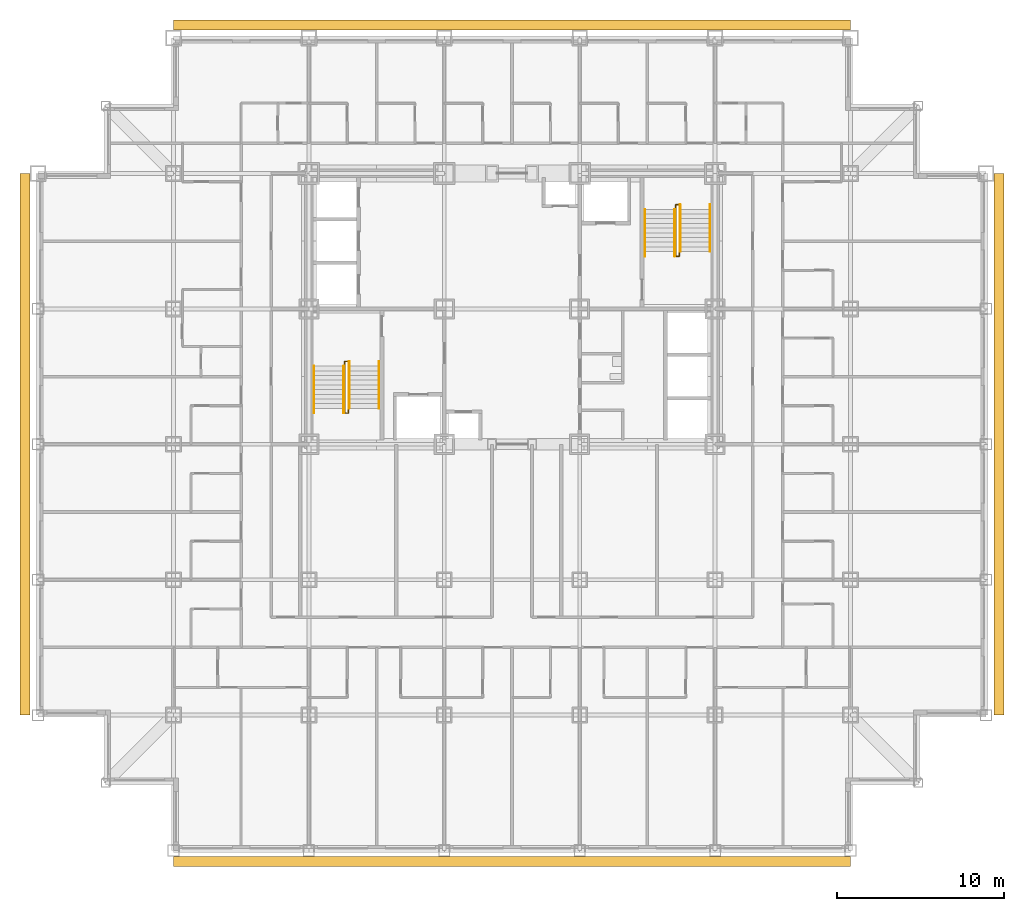
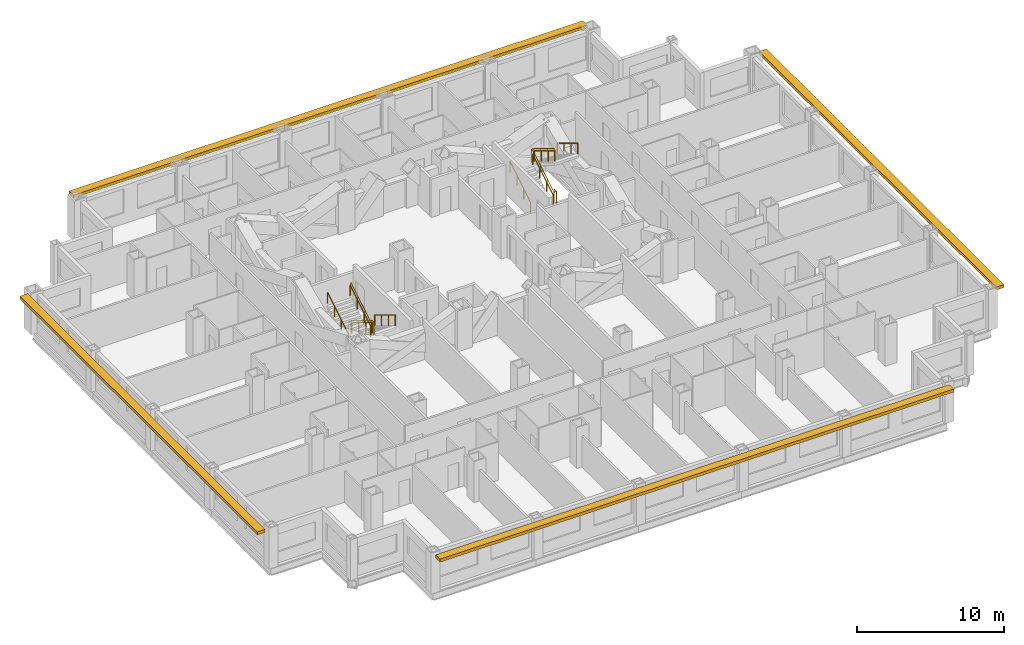
# One storey, part 11 of 12: 10 railings, 4 shading devices.
"""IFC4 building model written with IfcOpenShell, lengths in metres."""

from ifc_helpers import new_model, si_unit, direction, frame, origin, origin_2d, place, context, subcontext, project, spatial, rectangle, circle, extrude, material, type_object, element, save


model = new_model("IFC4")

# Units and contexts
model_context = context("Model", 3, precision=1e-05, world=origin(), true_north=direction((0.0, 1.0)))
body_context = subcontext(model_context, "Body", "Model", "MODEL_VIEW")
ifc_project = project(units=[si_unit("LENGTHUNIT", "METRE"), si_unit("AREAUNIT", "SQUARE_METRE"), si_unit("VOLUMEUNIT", "CUBIC_METRE"), si_unit("PLANEANGLEUNIT", "RADIAN"), si_unit("MASSUNIT", "GRAM", prefix="KILO")], contexts=[model_context])

# Site, building, storey
site_placement = place(None, origin())
site = spatial("IfcSite", under=ifc_project, at=site_placement, CompositionType="ELEMENT")
building_placement = place(site_placement, origin())
building = spatial("IfcBuilding", under=site, at=building_placement, Name="Kopane Lantern Tower", CompositionType="ELEMENT")
storey_placement = place(building_placement, frame((0.0, 0.0, 53.39990234375)))
storey = spatial("IfcBuildingStorey", under=building, at=storey_placement, Name="L12", CompositionType="ELEMENT", Elevation=53.39990234375)

# Railings
ifc_material_1 = material(Name="Steel", Category="steel")
railing_type_1 = type_object("IfcRailingType", Name="STAIR GUARD 1100", PredefinedType="GUARDRAIL", material=ifc_material_1)
railing_1_placement = place(storey_placement, frame((18.35009765625, 28.969970703125, 0.0)))
element("IfcRailing", 1, at=railing_1_placement, inside=storey, type_object=railing_type_1, Name="ST1 well guard L12", PredefinedType="GUARDRAIL", context=body_context, shape_type="SweptSolid", body=[
    extrude(circle(Radius=0.02392578125, at=origin_2d()), frame((0.0, 0.0, 1.076171875), z_axis=(0.0, 1.0, 0.0), x_axis=(-1.0, 0.0, 0.0)), (0.0, 0.0, 1.0), 0.280029296875),
    extrude(circle(Radius=0.02392578125, at=origin_2d()), frame((0.0, 0.280029296875, 1.076171875), z_axis=(1.0, 0.0, 0.0), x_axis=(0.0, 1.0, 0.0)), (0.0, 0.0, 1.0), 0.199951171875),
    extrude(circle(Radius=0.02392578125, at=origin_2d()), frame((0.199951171875, 0.280029296875, 1.076171875), z_axis=(0.0, -0.854765079529, 0.519015085347), x_axis=(1.0, 0.0, 0.0)), (0.0, 0.0, 1.0), 3.27587890625),
    extrude(circle(Radius=0.02392578125, at=origin_2d()), frame((0.199951171875, -2.52001953125, 2.7763671875), z_axis=(0.0, -1.0, 0.0), x_axis=(1.0, 0.0, 0.0)), (0.0, 0.0, 1.0), 0.280029296875),
    extrude(circle(Radius=0.02392578125, at=origin_2d()), frame((0.199951171875, -2.800048828125, 2.7763671875), z_axis=(-1.0, 0.0, 0.0), x_axis=(0.0, -1.0, 0.0)), (0.0, 0.0, 1.0), 0.199951171875),
    extrude(circle(Radius=0.02392578125, at=origin_2d()), frame((0.0, -2.800048828125, 2.7763671875), z_axis=(0.0, 0.854798142509, 0.518960630071), x_axis=(-1.0, 0.0, 0.0)), (0.0, 0.0, 1.0), 3.275634765625),
    extrude(circle(Radius=0.02099609375, at=origin_2d()), origin(), (0.0, 0.0, 1.0), 1.052001953125),
    extrude(circle(Radius=0.02099609375, at=origin_2d()), frame((0.0, 0.280029296875, 0.0)), (0.0, 0.0, 1.0), 1.052001953125),
    extrude(circle(Radius=0.02099609375, at=origin_2d()), frame((0.199951171875, 0.280029296875, 0.0)), (0.0, 0.0, 1.0), 1.052001953125),
    extrude(circle(Radius=0.02099609375, at=origin_2d()), frame((0.199951171875, -0.6533203125, 0.566650390625)), (0.0, 0.0, 1.0), 1.052001953125),
    extrude(circle(Radius=0.02099609375, at=origin_2d()), frame((0.199951171875, -1.586669921875, 1.133544921875)), (0.0, 0.0, 1.0), 1.052001953125),
    extrude(circle(Radius=0.02099609375, at=origin_2d()), frame((0.199951171875, -2.52001953125, 1.7001953125)), (0.0, 0.0, 1.0), 1.052001953125),
    extrude(circle(Radius=0.02099609375, at=origin_2d()), frame((0.199951171875, -2.800048828125, 1.7001953125)), (0.0, 0.0, 1.0), 1.052001953125),
    extrude(circle(Radius=0.02099609375, at=origin_2d()), frame((0.0, -2.800048828125, 1.7001953125)), (0.0, 0.0, 1.0), 1.052001953125),
    extrude(circle(Radius=0.02099609375, at=origin_2d()), frame((0.0, -1.86669921875, 2.266845703125)), (0.0, 0.0, 1.0), 1.052001953125),
    extrude(circle(Radius=0.02099609375, at=origin_2d()), frame((0.0, -0.933349609375, 2.83349609375)), (0.0, 0.0, 1.0), 1.052001953125),
    extrude(circle(Radius=0.02099609375, at=origin_2d()), frame((0.0, 0.0, 3.400146484375)), (0.0, 0.0, 1.0), 1.052001953125),
])
railing_2_placement = place(storey_placement, frame((38.35009765625, 35.830078125, 0.0)))
element("IfcRailing", 2, at=railing_2_placement, inside=storey, type_object=railing_type_1, Name="ST2 well guard L12", PredefinedType="GUARDRAIL", context=body_context, shape_type="SweptSolid", body=[
    extrude(circle(Radius=0.02392578125, at=origin_2d()), frame((0.0, 0.0, 1.076171875), z_axis=(0.0, -1.0, 0.0), x_axis=(1.0, 0.0, 0.0)), (0.0, 0.0, 1.0), 0.280029296875),
    extrude(circle(Radius=0.02392578125, at=origin_2d()), frame((0.0, -0.280029296875, 1.076171875), z_axis=(-1.0, 0.0, 0.0), x_axis=(0.0, -1.0, 0.0)), (0.0, 0.0, 1.0), 0.2001953125),
    extrude(circle(Radius=0.02392578125, at=origin_2d()), frame((-0.2001953125, -0.280029296875, 1.076171875), z_axis=(0.0, 0.854765079529, 0.519015085347), x_axis=(-1.0, 0.0, 0.0)), (0.0, 0.0, 1.0), 3.27587890625),
    extrude(circle(Radius=0.02392578125, at=origin_2d()), frame((-0.2001953125, 2.52001953125, 2.7763671875), z_axis=(0.0, 1.0, 0.0), x_axis=(-1.0, 0.0, 0.0)), (0.0, 0.0, 1.0), 0.27978515625),
    extrude(circle(Radius=0.02392578125, at=origin_2d()), frame((-0.2001953125, 2.7998046875, 2.7763671875), z_axis=(1.0, 0.0, 0.0), x_axis=(0.0, 1.0, 0.0)), (0.0, 0.0, 1.0), 0.2001953125),
    extrude(circle(Radius=0.02392578125, at=origin_2d()), frame((0.0, 2.7998046875, 2.7763671875), z_axis=(0.0, -0.854778067842, 0.518993694313), x_axis=(1.0, 0.0, 0.0)), (0.0, 0.0, 1.0), 3.275390625),
    extrude(circle(Radius=0.02099609375, at=origin_2d()), origin(), (0.0, 0.0, 1.0), 1.052001953125),
    extrude(circle(Radius=0.02099609375, at=origin_2d()), frame((0.0, -0.280029296875, 0.0)), (0.0, 0.0, 1.0), 1.052001953125),
    extrude(circle(Radius=0.02099609375, at=origin_2d()), frame((-0.2001953125, -0.280029296875, 0.0)), (0.0, 0.0, 1.0), 1.052001953125),
    extrude(circle(Radius=0.02099609375, at=origin_2d()), frame((-0.2001953125, 0.6533203125, 0.566650390625)), (0.0, 0.0, 1.0), 1.052001953125),
    extrude(circle(Radius=0.02099609375, at=origin_2d()), frame((-0.2001953125, 1.586669921875, 1.133544921875)), (0.0, 0.0, 1.0), 1.052001953125),
    extrude(circle(Radius=0.02099609375, at=origin_2d()), frame((-0.2001953125, 2.52001953125, 1.7001953125)), (0.0, 0.0, 1.0), 1.052001953125),
    extrude(circle(Radius=0.02099609375, at=origin_2d()), frame((-0.2001953125, 2.7998046875, 1.7001953125)), (0.0, 0.0, 1.0), 1.052001953125),
    extrude(circle(Radius=0.02099609375, at=origin_2d()), frame((0.0, 2.7998046875, 1.7001953125)), (0.0, 0.0, 1.0), 1.052001953125),
    extrude(circle(Radius=0.02099609375, at=origin_2d()), frame((0.0, 1.866455078125, 2.266845703125)), (0.0, 0.0, 1.0), 1.052001953125),
    extrude(circle(Radius=0.02099609375, at=origin_2d()), frame((0.0, 0.933349609375, 2.83349609375)), (0.0, 0.0, 1.0), 1.052001953125),
    extrude(circle(Radius=0.02099609375, at=origin_2d()), frame((0.0, 0.0, 3.400146484375)), (0.0, 0.0, 1.0), 1.052001953125),
])
ifc_material_2 = material(Name="Steel", Category="steel")
railing_type_2 = type_object("IfcRailingType", Name="STAIR HANDRAIL 900", PredefinedType="HANDRAIL", material=ifc_material_2)
for number, where, name in (
    (3, (20.389892578125, 29.25, 0.0), "ST1 handrail L12 flight 1"),
    (4, (18.610107421875, 29.25, 0.0), "ST1 handrail L12 flight 1"),
):
    element("IfcRailing", number, at=place(storey_placement, frame(where)), inside=storey, type_object=railing_type_2, Name=name, PredefinedType="HANDRAIL", context=body_context, shape_type="SweptSolid", body=[
        extrude(circle(Radius=0.02392578125, at=origin_2d()), frame((0.0, 0.0, 0.8759765625), z_axis=(0.0, -0.854765079529, 0.519015085347), x_axis=(1.0, 0.0, 0.0)), (0.0, 0.0, 1.0), 3.27587890625),
        extrude(circle(Radius=0.02099609375, at=origin_2d()), origin(), (0.0, 0.0, 1.0), 0.851806640625),
        extrude(circle(Radius=0.02099609375, at=origin_2d()), frame((0.0, -0.933349609375, 0.566650390625)), (0.0, 0.0, 1.0), 0.851806640625),
        extrude(circle(Radius=0.02099609375, at=origin_2d()), frame((0.0, -1.86669921875, 1.133544921875)), (0.0, 0.0, 1.0), 0.851806640625),
        extrude(circle(Radius=0.02099609375, at=origin_2d()), frame((0.0, -2.800048828125, 1.7001953125)), (0.0, 0.0, 1.0), 0.851806640625),
    ])
for number, where, name in (
    (5, (16.510009765625, 26.169921875, 1.7001953125), "ST1 handrail L12 flight 2"),
    (6, (18.2900390625, 26.169921875, 1.7001953125), "ST1 handrail L12 flight 2"),
):
    element("IfcRailing", number, at=place(storey_placement, frame(where)), inside=storey, type_object=railing_type_2, Name=name, PredefinedType="HANDRAIL", context=body_context, shape_type="SweptSolid", body=[
        extrude(circle(Radius=0.02392578125, at=origin_2d()), frame((0.0, 0.0, 0.8759765625), z_axis=(0.0, 0.854798142509, 0.518960630071), x_axis=(-1.0, 0.0, 0.0)), (0.0, 0.0, 1.0), 3.275634765625),
        extrude(circle(Radius=0.02099609375, at=origin_2d()), origin(), (0.0, 0.0, 1.0), 0.851806640625),
        extrude(circle(Radius=0.02099609375, at=origin_2d()), frame((0.0, 0.933349609375, 0.566650390625)), (0.0, 0.0, 1.0), 0.851806640625),
        extrude(circle(Radius=0.02099609375, at=origin_2d()), frame((0.0, 1.86669921875, 1.13330078125)), (0.0, 0.0, 1.0), 0.851806640625),
        extrude(circle(Radius=0.02099609375, at=origin_2d()), frame((0.0, 2.800048828125, 1.699951171875)), (0.0, 0.0, 1.0), 0.851806640625),
    ])
for number, where, name in (
    (7, (36.31005859375, 35.550048828125, 0.0), "ST2 handrail L12 flight 1"),
    (8, (38.090087890625, 35.550048828125, 0.0), "ST2 handrail L12 flight 1"),
):
    element("IfcRailing", number, at=place(storey_placement, frame(where)), inside=storey, type_object=railing_type_2, Name=name, PredefinedType="HANDRAIL", context=body_context, shape_type="SweptSolid", body=[
        extrude(circle(Radius=0.02392578125, at=origin_2d()), frame((0.0, 0.0, 0.8759765625), z_axis=(0.0, 0.854765079529, 0.519015085347), x_axis=(-1.0, 0.0, 0.0)), (0.0, 0.0, 1.0), 3.27587890625),
        extrude(circle(Radius=0.02099609375, at=origin_2d()), origin(), (0.0, 0.0, 1.0), 0.851806640625),
        extrude(circle(Radius=0.02099609375, at=origin_2d()), frame((0.0, 0.933349609375, 0.566650390625)), (0.0, 0.0, 1.0), 0.851806640625),
        extrude(circle(Radius=0.02099609375, at=origin_2d()), frame((0.0, 1.86669921875, 1.133544921875)), (0.0, 0.0, 1.0), 0.851806640625),
        extrude(circle(Radius=0.02099609375, at=origin_2d()), frame((0.0, 2.800048828125, 1.7001953125)), (0.0, 0.0, 1.0), 0.851806640625),
    ])
for number, where, name in (
    (9, (40.18994140625, 38.6298828125, 1.7001953125), "ST2 handrail L12 flight 2"),
    (10, (38.409912109375, 38.6298828125, 1.7001953125), "ST2 handrail L12 flight 2"),
):
    element("IfcRailing", number, at=place(storey_placement, frame(where)), inside=storey, type_object=railing_type_2, Name=name, PredefinedType="HANDRAIL", context=body_context, shape_type="SweptSolid", body=[
        extrude(circle(Radius=0.02392578125, at=origin_2d()), frame((0.0, 0.0, 0.8759765625), z_axis=(0.0, -0.854778067842, 0.518993694313), x_axis=(1.0, 0.0, 0.0)), (0.0, 0.0, 1.0), 3.275390625),
        extrude(circle(Radius=0.02099609375, at=origin_2d()), origin(), (0.0, 0.0, 1.0), 0.851806640625),
        extrude(circle(Radius=0.02099609375, at=origin_2d()), frame((0.0, -0.933349609375, 0.566650390625)), (0.0, 0.0, 1.0), 0.851806640625),
        extrude(circle(Radius=0.02099609375, at=origin_2d()), frame((0.0, -1.866455078125, 1.13330078125)), (0.0, 0.0, 1.0), 0.851806640625),
        extrude(circle(Radius=0.02099609375, at=origin_2d()), frame((0.0, -2.7998046875, 1.699951171875)), (0.0, 0.0, 1.0), 0.851806640625),
    ])

# Shading devices
ifc_material_3 = material(Name="Terracotta rainscreen on light steel framing", Category="masonry")
shading_device_type = type_object("IfcShadingDeviceType", Name="SUNSHADE BAND SB1 600 TERRACOTTA", PredefinedType="USERDEFINED", material=ifc_material_3)
shading_device_1_placement = place(storey_placement, frame((28.35009765625, -0.64990234375, 2.900146484375), z_axis=(0.0, 0.0, 1.0), x_axis=(1.0, 0.0, 0.0)))
element("IfcShadingDevice", 11, at=shading_device_1_placement, inside=storey, type_object=shading_device_type, Name="Sunshade band S L12", ObjectType="SUNSHADE BAND", PredefinedType="USERDEFINED", context=body_context, shape_type="SweptSolid", body=[
    extrude(rectangle(XDim=40.5, YDim=0.60009765625, at=origin_2d()), origin(), (0.0, 0.0, 1.0), 0.25),
])
shading_device_2_placement = place(storey_placement, frame((57.47509765625, 24.300048828125, 2.900146484375), z_axis=(0.0, 0.0, 1.0), x_axis=(0.0, 1.0, 0.0)))
element("IfcShadingDevice", 12, at=shading_device_2_placement, inside=storey, type_object=shading_device_type, Name="Sunshade band E L12", ObjectType="SUNSHADE BAND", PredefinedType="USERDEFINED", context=body_context, shape_type="SweptSolid", body=[
    extrude(rectangle(XDim=32.39990234375, YDim=0.60009765625, at=origin_2d()), origin(), (0.0, 0.0, 1.0), 0.25),
])
shading_device_3_placement = place(storey_placement, frame((28.35009765625, 49.375, 2.900146484375), z_axis=(0.0, 0.0, 1.0), x_axis=(-1.0, 0.0, 0.0)))
element("IfcShadingDevice", 13, at=shading_device_3_placement, inside=storey, type_object=shading_device_type, Name="Sunshade band N L12", ObjectType="SUNSHADE BAND", PredefinedType="USERDEFINED", context=body_context, shape_type="SweptSolid", body=[
    extrude(rectangle(XDim=40.5, YDim=0.60009765625, at=origin_2d()), origin(), (0.0, 0.0, 1.0), 0.25),
])
shading_device_4_placement = place(storey_placement, frame((-0.77490234375, 24.300048828125, 2.900146484375), z_axis=(0.0, 0.0, 1.0), x_axis=(0.0, -1.0, 0.0)))
element("IfcShadingDevice", 14, at=shading_device_4_placement, inside=storey, type_object=shading_device_type, Name="Sunshade band W L12", ObjectType="SUNSHADE BAND", PredefinedType="USERDEFINED", context=body_context, shape_type="SweptSolid", body=[
    extrude(rectangle(XDim=32.39990234375, YDim=0.60009765625, at=origin_2d()), origin(), (0.0, 0.0, 1.0), 0.25),
])

save(model, "model.ifc")
